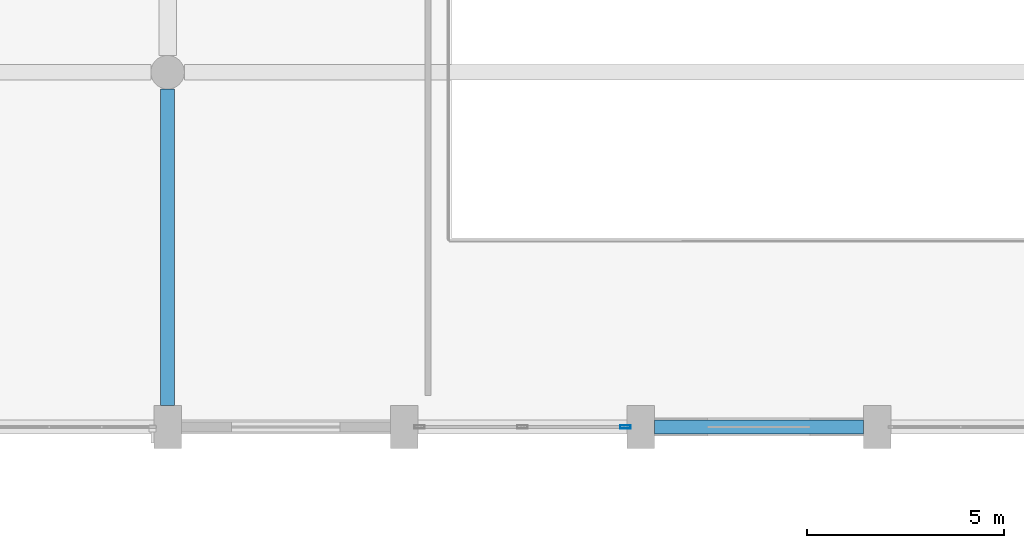
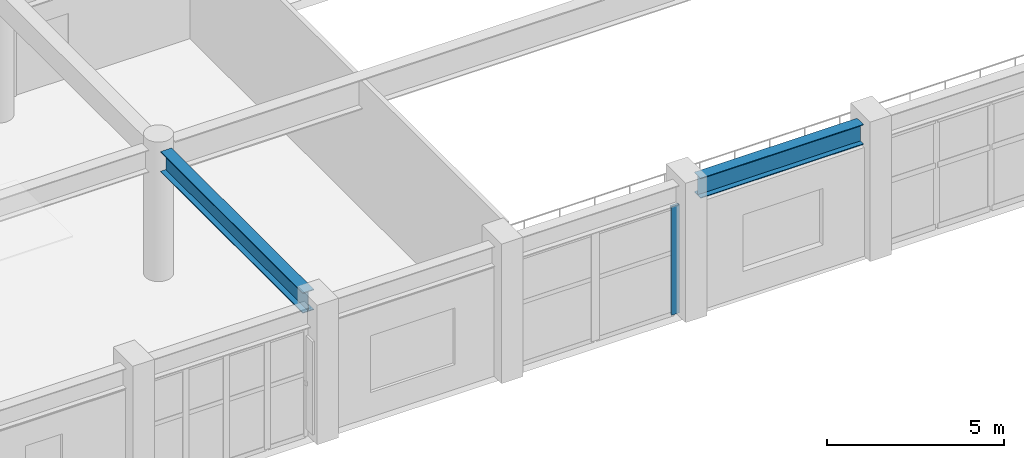
# One storey, part 20 of 96: 2 beams, 1 member, 1 element without a shape of its own.
"""IFC4 building model written with IfcOpenShell, lengths in metres."""

from ifc_helpers import new_model, si_unit, direction, frame, origin, origin_2d, place, context, subcontext, project, spatial, hollow_rectangle, i_section, extrude, material, layer, layer_set, material_profile, profile_set, type_object, element, aggregate, save


model = new_model("IFC4")

# Units and contexts
model_context = context("Model", 3, precision=1e-05, world=origin(), true_north=direction((0.0, 1.0)))
body_context = subcontext(model_context, "Body", "Model", "MODEL_VIEW")
ifc_project = project(units=[si_unit("LENGTHUNIT", "METRE"), si_unit("AREAUNIT", "SQUARE_METRE"), si_unit("VOLUMEUNIT", "CUBIC_METRE"), si_unit("PLANEANGLEUNIT", "RADIAN"), si_unit("MASSUNIT", "GRAM", prefix="KILO")], contexts=[model_context])

# Site, building, storey
site_placement = place(None, origin())
site = spatial("IfcSite", under=ifc_project, at=site_placement, CompositionType="ELEMENT")
building_placement = place(site_placement, origin())
building = spatial("IfcBuilding", under=site, at=building_placement, Name="Vaelkrest Opera House", CompositionType="ELEMENT")
storey_placement = place(building_placement, frame((0.0, 0.0, 5.39990234375)))
storey = spatial("IfcBuildingStorey", under=building, at=storey_placement, Name="L01", CompositionType="ELEMENT", Elevation=5.39990234375)

# Beam
ifc_material_1 = material(Name="Steel A992 Gr50", Category="steel")
ifc_material_profile_1 = material_profile(ifc_material_1, i_section(OverallWidth=0.35791015625, OverallDepth=0.7060546875, WebThickness=0.018310546875, FlangeThickness=0.0302734375, at=origin_2d()), Name="W27X178")
ifc_profile_set_1 = profile_set([ifc_material_profile_1], Name="Steel A992 Gr50")
beam_type_1 = type_object("IfcBeamType", Name="B14", PredefinedType="BEAM", material=ifc_profile_set_1)
beam_1_placement = place(storey_placement, frame((-18.0, -55.25, 4.147216796875), z_axis=(0.0, 1.0, 0.0), x_axis=(-1.0, 0.0, 0.0)))
element("IfcBeam", 1, at=beam_1_placement, inside=storey, type_object=beam_type_1, Name="Beam BM-V1-L01-0270", PredefinedType="BEAM", context=body_context, shape_type="SweptSolid", body=[
    extrude(i_section(OverallWidth=0.35791015625, OverallDepth=0.7060546875, WebThickness=0.018310546875, FlangeThickness=0.0302734375, at=origin_2d()), origin(), (0.0, 0.0, 1.0), 8.02490234375),
])

# Curtain wall, member
ifc_material_2 = material(Name="Dark bronze anodized aluminium", Category="aluminium")
ifc_layer = layer(ifc_material_2, 0.25)
ifc_layer_set = layer_set([ifc_layer], Name="Dark bronze anodized aluminium")
curtain_wall_type = type_object("IfcCurtainWallType", Name="CW08", PredefinedType="NOTDEFINED", material=ifc_layer_set)
curtain_wall_placement = place(storey_placement, origin())
curtain_wall = element("IfcCurtainWall", 2, at=curtain_wall_placement, inside=storey, type_object=curtain_wall_type, Name="Curtain wall CW-L01-023", PredefinedType="NOTDEFINED")
ifc_material_profile_2 = material_profile(ifc_material_2, hollow_rectangle(XDim=0.080078125, YDim=0.260009765625, WallThickness=0.0048828125, at=origin_2d()), Name="CWM80X260")
ifc_profile_set_2 = profile_set([ifc_material_profile_2], Name="Dark bronze anodized aluminium")
member_type = type_object("IfcMemberType", Name="CWM04", PredefinedType="MULLION", material=ifc_profile_set_2)
member_placement = place(storey_placement, frame((-6.387939453125, -55.800048828125, 0.0), z_axis=(0.0, 0.0, 1.0), x_axis=(0.0, -1.0, 0.0)))
member = element("IfcMember", 3, at=member_placement, type_object=member_type, Name="CW08 mullion 1", PredefinedType="MULLION", context=body_context, shape_type="SweptSolid", body=[
    extrude(hollow_rectangle(XDim=0.080078125, YDim=0.260009765625, WallThickness=0.0048828125, at=origin_2d()), origin(), (0.0, 0.0, 1.0), 3.739990234375),
])
aggregate(curtain_wall, [member])

# Beam
ifc_material_profile_3 = material_profile(ifc_material_1, i_section(OverallWidth=0.35498046875, OverallDepth=0.695068359375, WebThickness=0.015380859375, FlangeThickness=0.02490234375, at=origin_2d()), Name="W27X146")
ifc_profile_set_3 = profile_set([ifc_material_profile_3], Name="Steel A992 Gr50")
beam_type_2 = type_object("IfcBeamType", Name="SP02", PredefinedType="SPANDREL", material=ifc_profile_set_3)
beam_2_placement = place(storey_placement, frame((-5.64990234375, -55.800048828125, 4.152587890625), z_axis=(1.0, 0.0, 0.0), x_axis=(0.0, 1.0, 0.0)))
element("IfcBeam", 4, at=beam_2_placement, inside=storey, type_object=beam_type_2, Name="Beam BM-V1-L01-0209", PredefinedType="SPANDREL", context=body_context, shape_type="SweptSolid", body=[
    extrude(i_section(OverallWidth=0.35498046875, OverallDepth=0.695068359375, WebThickness=0.015380859375, FlangeThickness=0.02490234375, at=origin_2d()), origin(), (0.0, 0.0, 1.0), 5.2998046875),
])

save(model, "model.ifc")
